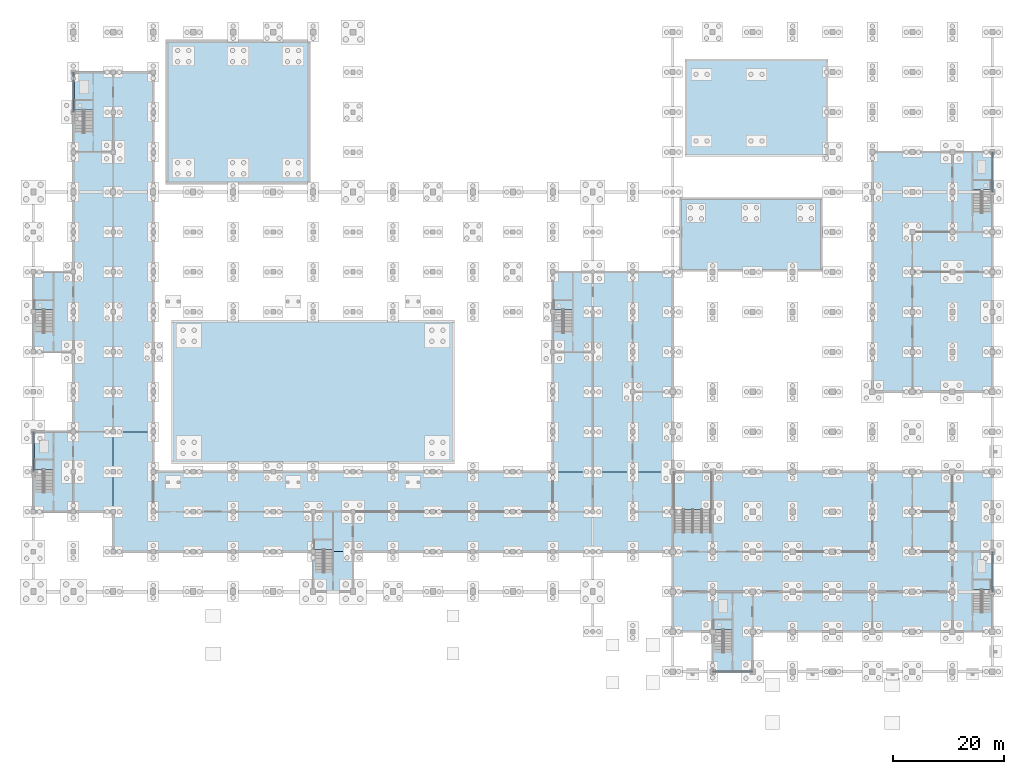
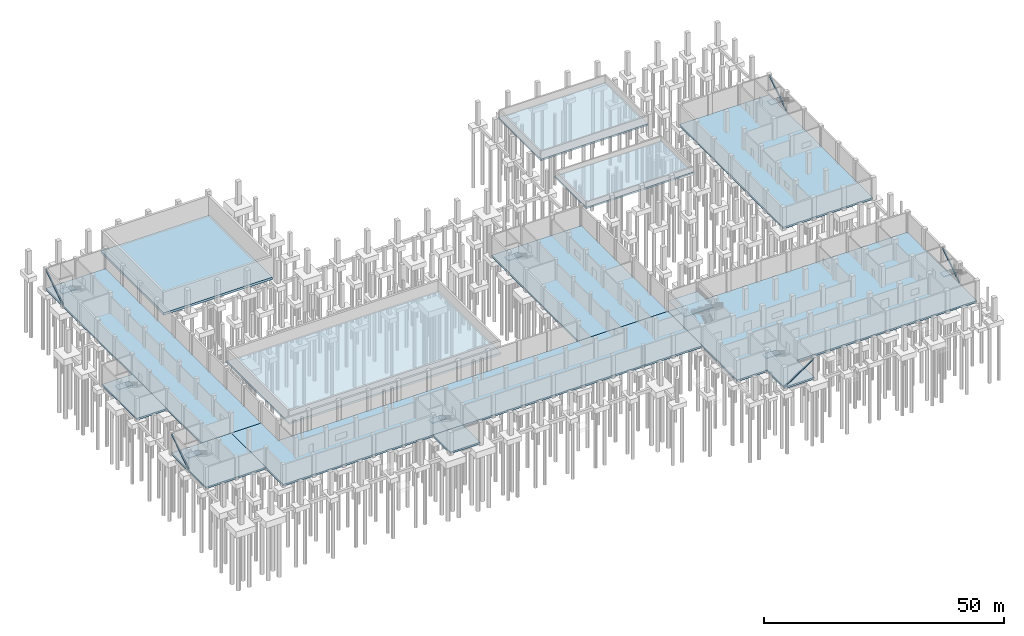
# One storey, part 13 of 35: 21 slabs, 5 members, 9 elements without a shape of their own.
"""IFC4 building model written with IfcOpenShell, lengths in metres."""

from ifc_helpers import new_model, si_unit, direction, frame, origin, origin_2d, place, context, subcontext, project, spatial, polyline, hollow_circle, outline, extrude, material, layer, layer_set, material_profile, profile_set, type_object, element, aggregate, save


model = new_model("IFC4")

# Units and contexts
model_context = context("Model", 3, precision=1e-05, world=origin(), true_north=direction((0.0, 1.0)))
body_context = subcontext(model_context, "Body", "Model", "MODEL_VIEW")
ifc_project = project(units=[si_unit("LENGTHUNIT", "METRE"), si_unit("AREAUNIT", "SQUARE_METRE"), si_unit("VOLUMEUNIT", "CUBIC_METRE"), si_unit("PLANEANGLEUNIT", "RADIAN"), si_unit("MASSUNIT", "GRAM", prefix="KILO")], contexts=[model_context])

# Site, building, storey
site_placement = place(None, origin())
site = spatial("IfcSite", under=ifc_project, at=site_placement, CompositionType="ELEMENT")
building_placement = place(site_placement, origin())
building = spatial("IfcBuilding", under=site, at=building_placement, Name="Vesperath Aquatics Centre", CompositionType="ELEMENT")
storey_placement = place(building_placement, frame((0.0, 0.0, -5.39990234375)))
storey = spatial("IfcBuildingStorey", under=building, at=storey_placement, Name="B1", CompositionType="ELEMENT", Elevation=-5.39990234375)

# Members
ifc_material_1 = material(Name="Steel Q355D", Category="steel")
ifc_material_profile = material_profile(ifc_material_1, hollow_circle(Radius=0.177734375, WallThickness=0.01611328125, at=origin_2d()), Name="CHS 355.6x16")
ifc_profile_set = profile_set([ifc_material_profile], Name="Steel Q355D")
member_type = type_object("IfcMemberType", Name="MB-TS01", PredefinedType="STRUT", material=ifc_profile_set)
for number, where, z_axis, x_axis, name in (
    (1, (0.0, 36.066650390625, 0.1943359375), (0.0, 0.832054716629, 0.554693562731), (-1.0, 0.0, 0.0), "Lateral Braced Frame Strut C1_W B1"),
    (2, (7.199951171875, 100.866455078125, 0.1943359375), (0.0, 0.832054716629, 0.554693562731), (-1.0, 0.0, 0.0), "Lateral Braced Frame Strut C3_W B1"),
    (3, (172.800048828125, 86.466552734375, 0.1943359375), (0.0, 0.832054716629, 0.554693562731), (-1.0, 0.0, 0.0), "Lateral Braced Frame Strut C4_E B1"),
    (4, (122.466552734375, 0.0, 0.1943359375), (0.832054716629, 0.0, 0.554693562731), (0.0, 1.0, 0.0), "Lateral Braced Frame Strut C5_S B1"),
    (5, (172.800048828125, 14.466552734375, 0.1943359375), (0.0, 0.832054716629, 0.554693562731), (-1.0, 0.0, 0.0), "Lateral Braced Frame Strut C6_E B1"),
):
    element("IfcMember", number, at=place(storey_placement, frame(where, z_axis=z_axis, x_axis=x_axis)), inside=storey, type_object=member_type, Name=name, PredefinedType="STRUT", context=body_context, shape_type="SweptSolid", body=[
        extrude(hollow_circle(Radius=0.177734375, WallThickness=0.01611328125, at=origin_2d()), origin(), (0.0, 0.0, 1.0), 8.493408203125),
    ])

# Slabs
ifc_material_2 = material(Name="Concrete C40", Category="concrete")
ifc_layer_1 = layer(ifc_material_2, 0.449951171875)
ifc_layer_set_1 = layer_set([ifc_layer_1], Name="Concrete C40")
slab_type_1 = type_object("IfcSlabType", Name="SL-BS01", PredefinedType="BASESLAB", material=ifc_layer_set_1)
slab_1_placement = place(storey_placement, frame((0.0, 0.0, -0.4501953125)))
element("IfcSlab", 6, at=slab_1_placement, inside=storey, type_object=slab_type_1, Name="West Core Plant Base Slab BS01 B1", PredefinedType="BASESLAB", context=body_context, shape_type="SweptSolid", body=[
    extrude(outline(polyline([(0.0, 28.800048828125), (14.39990234375, 28.800048828125), (14.39990234375, 43.199951171875), (0.0, 43.199951171875), (0.0, 28.800048828125)])), origin(), (0.0, 0.0, 1.0), 0.4501953125),
])
slab_2_placement = place(storey_placement, frame((0.0, 0.0, -0.4501953125)))
element("IfcSlab", 7, at=slab_2_placement, inside=storey, type_object=slab_type_1, Name="Diving Plant Link Base Slab BS01 B1", PredefinedType="BASESLAB", context=body_context, shape_type="SweptSolid", body=[
    extrude(outline(polyline([(7.199951171875, 43.199951171875), (21.60009765625, 43.199951171875), (21.60009765625, 108.0), (7.199951171875, 108.0), (7.199951171875, 43.199951171875)])), origin(), (0.0, 0.0, 1.0), 0.4501953125),
])
slab_3_placement = place(storey_placement, frame((0.0, 0.0, -0.4501953125)))
element("IfcSlab", 8, at=slab_3_placement, inside=storey, type_object=slab_type_1, Name="South Filtration Spine Base Slab BS01 B1", PredefinedType="BASESLAB", context=body_context, shape_type="SweptSolid", body=[
    extrude(outline(polyline([(14.39990234375, 21.60009765625), (115.199951171875, 21.60009765625), (115.199951171875, 36.0), (21.60009765625, 36.0), (21.60009765625, 43.199951171875), (14.39990234375, 43.199951171875), (14.39990234375, 21.60009765625)])), origin(), (0.0, 0.0, 1.0), 0.4501953125),
])
slab_4_placement = place(storey_placement, frame((0.0, 0.0, -0.4501953125)))
element("IfcSlab", 9, at=slab_4_placement, inside=storey, type_object=slab_type_1, Name="Conservatory Plant Spine Base Slab BS01 B1", PredefinedType="BASESLAB", context=body_context, shape_type="SweptSolid", body=[
    extrude(outline(polyline([(93.60009765625, 36.0), (115.199951171875, 36.0), (115.199951171875, 72.0), (93.60009765625, 72.0), (93.60009765625, 36.0)])), origin(), (0.0, 0.0, 1.0), 0.4501953125),
])
slab_5_placement = place(storey_placement, frame((0.0, 0.0, -0.4501953125)))
element("IfcSlab", 10, at=slab_5_placement, inside=storey, type_object=slab_type_1, Name="East Pool Plant Base Slab BS01 B1", PredefinedType="BASESLAB", context=body_context, shape_type="SweptSolid", body=[
    extrude(outline(polyline([(151.199951171875, 50.39990234375), (172.800048828125, 50.39990234375), (172.800048828125, 93.60009765625), (151.199951171875, 93.60009765625), (151.199951171875, 50.39990234375)])), origin(), (0.0, 0.0, 1.0), 0.4501953125),
])
slab_6_placement = place(storey_placement, frame((0.0, 0.0, -0.4501953125)))
element("IfcSlab", 11, at=slab_6_placement, inside=storey, type_object=slab_type_1, Name="Boulevard MEP Basement Base Slab BS01 B1", PredefinedType="BASESLAB", context=body_context, shape_type="SweptSolid", body=[
    extrude(outline(polyline([(115.199951171875, 7.199951171875), (122.39990234375, 7.199951171875), (122.39990234375, 0.0), (129.60009765625, 0.0), (129.60009765625, 7.199951171875), (172.800048828125, 7.199951171875), (172.800048828125, 36.0), (115.199951171875, 36.0), (115.199951171875, 7.199951171875)])), origin(), (0.0, 0.0, 1.0), 0.4501953125),
])
slab_7_placement = place(storey_placement, frame((0.0, 0.0, -0.4501953125)))
element("IfcSlab", 12, at=slab_7_placement, inside=storey, type_object=slab_type_1, Name="North-West Core Plant Base Slab BS01 B1", PredefinedType="BASESLAB", context=body_context, shape_type="SweptSolid", body=[
    extrude(outline(polyline([(0.0, 57.60009765625), (7.199951171875, 57.60009765625), (7.199951171875, 72.0), (0.0, 72.0), (0.0, 57.60009765625)])), origin(), (0.0, 0.0, 1.0), 0.4501953125),
])
slab_8_placement = place(storey_placement, frame((0.0, 0.0, -0.4501953125)))
element("IfcSlab", 13, at=slab_8_placement, inside=storey, type_object=slab_type_1, Name="South Core Base Slab BS01 B1", PredefinedType="BASESLAB", context=body_context, shape_type="SweptSolid", body=[
    extrude(outline(polyline([(50.39990234375, 14.39990234375), (57.60009765625, 14.39990234375), (57.60009765625, 21.60009765625), (50.39990234375, 21.60009765625), (50.39990234375, 14.39990234375)])), origin(), (0.0, 0.0, 1.0), 0.4501953125),
])

# Stair, slab
ifc_material_3 = material(Name="Concrete C35", Category="concrete")
stair_type_1 = type_object("IfcStairType", Name="ST-HT54", PredefinedType="HALF_TURN_STAIR", material=ifc_material_3)
stair_1_placement = place(storey_placement, origin())
stair_1 = element("IfcStair", 14, at=stair_1_placement, inside=storey, type_object=stair_type_1, Name="Enclosed Exit Stair ST1 B1", PredefinedType="HALF_TURN_STAIR")
ifc_layer_2 = layer(ifc_material_3, 0.199951171875)
ifc_layer_set_2 = layer_set([ifc_layer_2], Name="Concrete C35")
slab_type_2 = type_object("IfcSlabType", Name="SL-LND1", PredefinedType="LANDING", material=ifc_layer_set_2)
slab_9_placement = place(storey_placement, frame((0.0, 0.0, 2.5)))
slab_9 = element("IfcSlab", 15, at=slab_9_placement, type_object=slab_type_2, Name="Stair ST1 Half-Landing B1", PredefinedType="LANDING", context=body_context, shape_type="SweptSolid", body=[
    extrude(outline(polyline([(0.090087890625, 36.419921875), (3.52001953125, 36.419921875), (3.52001953125, 38.10009765625), (0.090087890625, 38.10009765625), (0.090087890625, 36.419921875)])), origin(), (0.0, 0.0, 1.0), 0.199951171875),
])
aggregate(stair_1, [slab_9])

stair_2_placement = place(storey_placement, origin())
stair_2 = element("IfcStair", 16, at=stair_2_placement, inside=storey, type_object=stair_type_1, Name="Enclosed Exit Stair ST8 B1", PredefinedType="HALF_TURN_STAIR")
slab_10_placement = place(storey_placement, frame((0.0, 0.0, 2.5)))
slab_10 = element("IfcSlab", 17, at=slab_10_placement, type_object=slab_type_2, Name="Stair ST8 Half-Landing B1", PredefinedType="LANDING", context=body_context, shape_type="SweptSolid", body=[
    extrude(outline(polyline([(93.68994140625, 65.219970703125), (97.1201171875, 65.219970703125), (97.1201171875, 66.89990234375), (93.68994140625, 66.89990234375), (93.68994140625, 65.219970703125)])), origin(), (0.0, 0.0, 1.0), 0.199951171875),
])
aggregate(stair_2, [slab_10])

stair_3_placement = place(storey_placement, origin())
stair_3 = element("IfcStair", 18, at=stair_3_placement, inside=storey, type_object=stair_type_1, Name="Enclosed Exit Stair ST3 B1", PredefinedType="HALF_TURN_STAIR")
slab_11_placement = place(storey_placement, frame((0.0, 0.0, 2.5)))
slab_11 = element("IfcSlab", 19, at=slab_11_placement, type_object=slab_type_2, Name="Stair ST3 Half-Landing B1", PredefinedType="LANDING", context=body_context, shape_type="SweptSolid", body=[
    extrude(outline(polyline([(7.2900390625, 101.219970703125), (10.719970703125, 101.219970703125), (10.719970703125, 102.89990234375), (7.2900390625, 102.89990234375), (7.2900390625, 101.219970703125)])), origin(), (0.0, 0.0, 1.0), 0.199951171875),
])
aggregate(stair_3, [slab_11])

stair_4_placement = place(storey_placement, origin())
stair_4 = element("IfcStair", 20, at=stair_4_placement, inside=storey, type_object=stair_type_1, Name="Enclosed Exit Stair ST5 B1", PredefinedType="HALF_TURN_STAIR")
slab_12_placement = place(storey_placement, frame((0.0, 0.0, 2.5)))
slab_12 = element("IfcSlab", 21, at=slab_12_placement, type_object=slab_type_2, Name="Stair ST5 Half-Landing B1", PredefinedType="LANDING", context=body_context, shape_type="SweptSolid", body=[
    extrude(outline(polyline([(122.489990234375, 7.6201171875), (125.919921875, 7.6201171875), (125.919921875, 9.300048828125), (122.489990234375, 9.300048828125), (122.489990234375, 7.6201171875)])), origin(), (0.0, 0.0, 1.0), 0.199951171875),
])
aggregate(stair_4, [slab_12])

stair_type_2 = type_object("IfcStairType", Name="ST-HW54", PredefinedType="HALF_TURN_STAIR", material=ifc_material_3)
stair_5_placement = place(storey_placement, origin())
stair_5 = element("IfcStair", 22, at=stair_5_placement, inside=storey, type_object=stair_type_2, Name="Enclosed Exit Stair ST7A B1", PredefinedType="HALF_TURN_STAIR")
slab_13_placement = place(storey_placement, frame((0.0, 0.0, 2.5)))
slab_13 = element("IfcSlab", 23, at=slab_13_placement, type_object=slab_type_2, Name="Stairs ST7A and ST7B Half-Landing B1", PredefinedType="LANDING", context=body_context, shape_type="SweptSolid", body=[
    extrude(outline(polyline([(115.2900390625, 29.219970703125), (122.31005859375, 29.219970703125), (122.31005859375, 35.909912109375), (115.2900390625, 35.909912109375), (115.2900390625, 29.219970703125)])), origin(), (0.0, 0.0, 1.0), 0.199951171875),
])
aggregate(stair_5, [slab_13])

stair_6_placement = place(storey_placement, origin())
stair_6 = element("IfcStair", 24, at=stair_6_placement, inside=storey, type_object=stair_type_1, Name="Enclosed Exit Stair ST2 B1", PredefinedType="HALF_TURN_STAIR")
ifc_layer_3 = layer(ifc_material_3, 0.18994140625)
ifc_layer_set_3 = layer_set([ifc_layer_3], Name="Concrete C35")
slab_type_3 = type_object("IfcSlabType", Name="SL-LND2", PredefinedType="LANDING", material=ifc_layer_set_3)
slab_14_placement = place(storey_placement, frame((0.0, 0.0, 2.510009765625)))
slab_14 = element("IfcSlab", 25, at=slab_14_placement, type_object=slab_type_3, Name="Stair ST2 Half-Landing B1", PredefinedType="LANDING", context=body_context, shape_type="SweptSolid", body=[
    extrude(outline(polyline([(0.090087890625, 65.219970703125), (3.52001953125, 65.219970703125), (3.52001953125, 66.89990234375), (0.090087890625, 66.89990234375), (0.090087890625, 65.219970703125)])), origin(), (0.0, 0.0, 1.0), 0.18994140625),
])
aggregate(stair_6, [slab_14])

stair_7_placement = place(storey_placement, origin())
stair_7 = element("IfcStair", 26, at=stair_7_placement, inside=storey, type_object=stair_type_1, Name="Enclosed Exit Stair ST9 B1", PredefinedType="HALF_TURN_STAIR")
slab_15_placement = place(storey_placement, frame((0.0, 0.0, 2.510009765625)))
slab_15 = element("IfcSlab", 27, at=slab_15_placement, type_object=slab_type_3, Name="Stair ST9 Half-Landing B1", PredefinedType="LANDING", context=body_context, shape_type="SweptSolid", body=[
    extrude(outline(polyline([(50.489990234375, 22.02001953125), (53.919921875, 22.02001953125), (53.919921875, 23.699951171875), (50.489990234375, 23.699951171875), (50.489990234375, 22.02001953125)])), origin(), (0.0, 0.0, 1.0), 0.18994140625),
])
aggregate(stair_7, [slab_15])

stair_8_placement = place(storey_placement, origin())
stair_8 = element("IfcStair", 28, at=stair_8_placement, inside=storey, type_object=stair_type_1, Name="Enclosed Exit Stair ST4 B1", PredefinedType="HALF_TURN_STAIR")
slab_16_placement = place(storey_placement, frame((0.0, 0.0, 2.510009765625)))
slab_16 = element("IfcSlab", 29, at=slab_16_placement, type_object=slab_type_3, Name="Stair ST4 Half-Landing B1", PredefinedType="LANDING", context=body_context, shape_type="SweptSolid", body=[
    extrude(outline(polyline([(169.280029296875, 86.820068359375), (172.7099609375, 86.820068359375), (172.7099609375, 88.5), (169.280029296875, 88.5), (169.280029296875, 86.820068359375)])), origin(), (0.0, 0.0, 1.0), 0.18994140625),
])
aggregate(stair_8, [slab_16])

stair_9_placement = place(storey_placement, origin())
stair_9 = element("IfcStair", 30, at=stair_9_placement, inside=storey, type_object=stair_type_1, Name="Enclosed Exit Stair ST6 B1", PredefinedType="HALF_TURN_STAIR")
slab_17_placement = place(storey_placement, frame((0.0, 0.0, 2.510009765625)))
slab_17 = element("IfcSlab", 31, at=slab_17_placement, type_object=slab_type_3, Name="Stair ST6 Half-Landing B1", PredefinedType="LANDING", context=body_context, shape_type="SweptSolid", body=[
    extrude(outline(polyline([(169.280029296875, 14.820068359375), (172.7099609375, 14.820068359375), (172.7099609375, 16.5), (169.280029296875, 16.5), (169.280029296875, 14.820068359375)])), origin(), (0.0, 0.0, 1.0), 0.18994140625),
])
aggregate(stair_9, [slab_17])

# Slabs
ifc_layer_4 = layer(ifc_material_2, 0.5)
ifc_layer_set_4 = layer_set([ifc_layer_4], Name="Concrete C40")
slab_type_4 = type_object("IfcSlabType", Name="SL-PS01", PredefinedType="BASESLAB", material=ifc_layer_set_4)
slab_18_placement = place(storey_placement, frame((0.0, 0.0, 1.89990234375)))
element("IfcSlab", 32, at=slab_18_placement, inside=storey, type_object=slab_type_4, Name="Competition Swimming Pool Base Slab PS01", PredefinedType="BASESLAB", context=body_context, shape_type="SweptSolid", body=[
    extrude(outline(polyline([(24.909912109375, 37.419921875), (75.889892578125, 37.419921875), (75.889892578125, 63.3798828125), (24.909912109375, 63.3798828125), (24.909912109375, 37.419921875)])), origin(), (0.0, 0.0, 1.0), 0.5),
])
ifc_layer_5 = layer(ifc_material_2, 0.60009765625)
ifc_layer_set_5 = layer_set([ifc_layer_5], Name="Concrete C40")
slab_type_5 = type_object("IfcSlabType", Name="SL-PS02", PredefinedType="BASESLAB", material=ifc_layer_set_5)
slab_19_placement = place(storey_placement, frame((0.0, 0.0, -0.4501953125)))
element("IfcSlab", 33, at=slab_19_placement, inside=storey, type_object=slab_type_5, Name="Diving Pool Well Base Slab PS02", PredefinedType="BASESLAB", context=body_context, shape_type="SweptSolid", body=[
    extrude(outline(polyline([(23.85009765625, 87.75), (49.949951171875, 87.75), (49.949951171875, 113.85009765625), (23.85009765625, 113.85009765625), (23.85009765625, 87.75)])), origin(), (0.0, 0.0, 1.0), 0.60009765625),
])
ifc_layer_6 = layer(ifc_material_2, 0.419921875)
ifc_layer_set_6 = layer_set([ifc_layer_6], Name="Concrete C40")
slab_type_6 = type_object("IfcSlabType", Name="SL-PS03", PredefinedType="BASESLAB", material=ifc_layer_set_6)
slab_20_placement = place(storey_placement, frame((0.0, 0.0, 2.97998046875)))
element("IfcSlab", 34, at=slab_20_placement, inside=storey, type_object=slab_type_6, Name="Training and Warm-Up Pool Base Slab PS03", PredefinedType="BASESLAB", context=body_context, shape_type="SweptSolid", body=[
    extrude(outline(polyline([(117.419921875, 92.820068359375), (143.179931640625, 92.820068359375), (143.179931640625, 110.3798828125), (117.419921875, 110.3798828125), (117.419921875, 92.820068359375)])), origin(), (0.0, 0.0, 1.0), 0.419921875),
])
ifc_layer_7 = layer(ifc_material_2, 0.39990234375)
ifc_layer_set_7 = layer_set([ifc_layer_7], Name="Concrete C40")
slab_type_7 = type_object("IfcSlabType", Name="SL-PS04", PredefinedType="BASESLAB", material=ifc_layer_set_7)
slab_21_placement = place(storey_placement, frame((0.0, 0.0, 3.64990234375)))
element("IfcSlab", 35, at=slab_21_placement, inside=storey, type_object=slab_type_7, Name="Leisure and Teaching Pool Base Slab PS04", PredefinedType="BASESLAB", context=body_context, shape_type="SweptSolid", body=[
    extrude(outline(polyline([(116.449951171875, 72.14990234375), (142.14990234375, 72.14990234375), (142.14990234375, 85.35009765625), (116.449951171875, 85.35009765625), (116.449951171875, 72.14990234375)])), origin(), (0.0, 0.0, 1.0), 0.39990234375),
])

save(model, "model.ifc")
